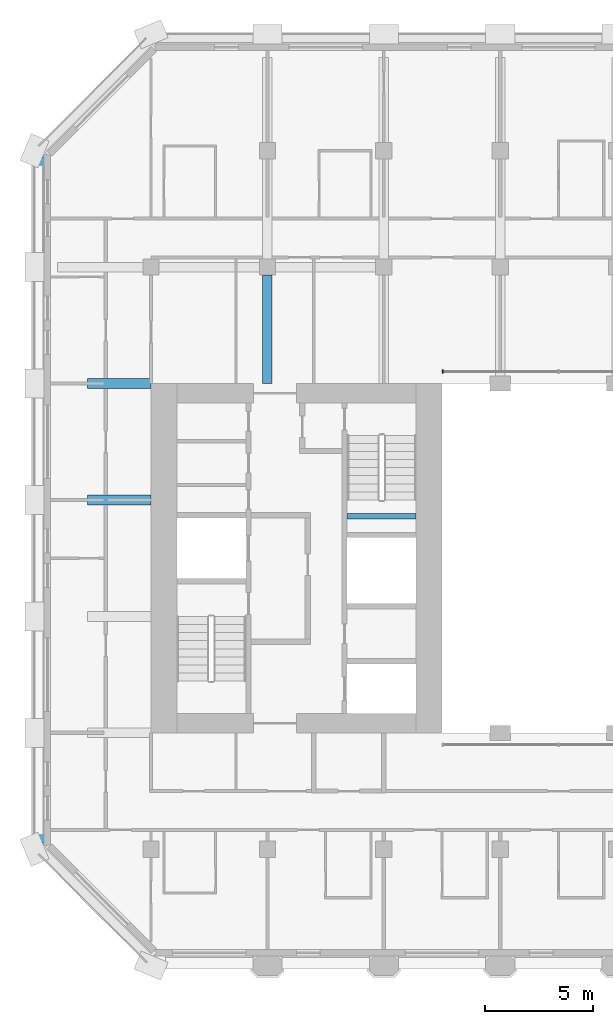
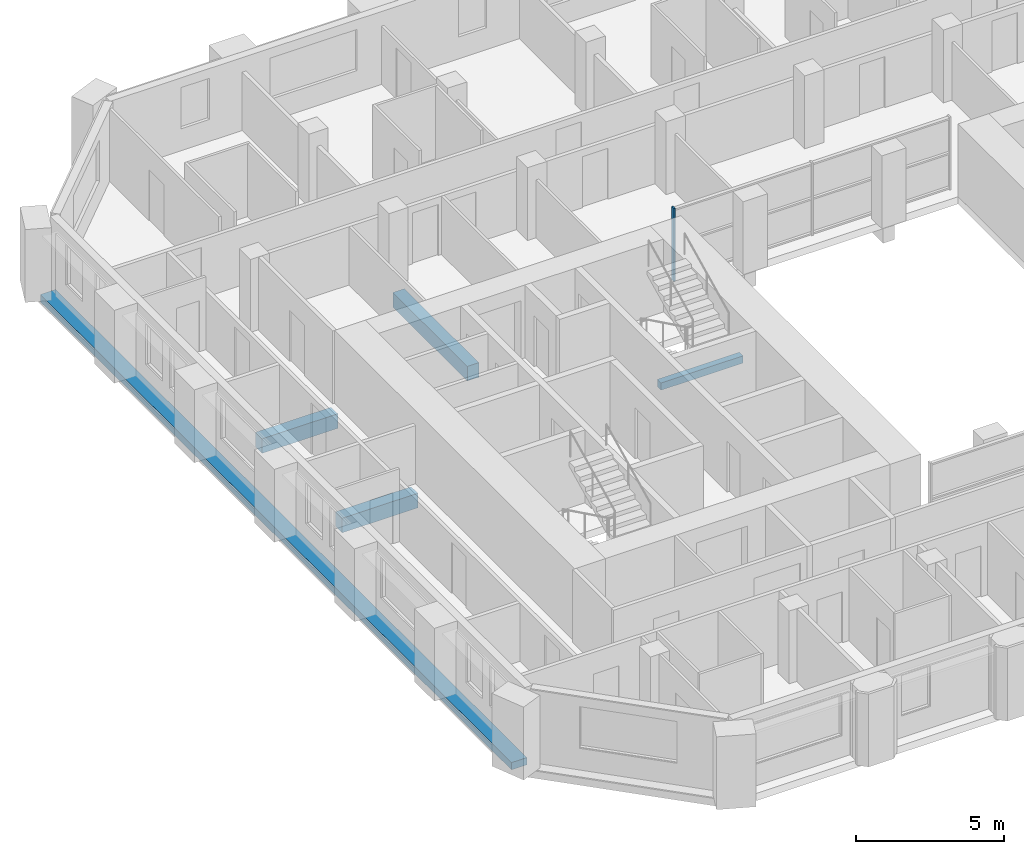
# One storey, part 3 of 14: 5 beams, 1 member, 1 element without a shape of its own.
"""IFC4 building model written with IfcOpenShell, lengths in metres."""

from ifc_helpers import new_model, si_unit, direction, frame, origin, origin_2d, place, context, subcontext, project, spatial, rectangle, extrude, material, material_profile, profile_set, type_object, element, aggregate, save


model = new_model("IFC4")

# Units and contexts
model_context = context("Model", 3, precision=1e-05, world=origin(), true_north=direction((0.0, 1.0)))
body_context = subcontext(model_context, "Body", "Model", "MODEL_VIEW")
ifc_project = project(units=[si_unit("LENGTHUNIT", "METRE"), si_unit("AREAUNIT", "SQUARE_METRE"), si_unit("VOLUMEUNIT", "CUBIC_METRE"), si_unit("PLANEANGLEUNIT", "RADIAN"), si_unit("MASSUNIT", "GRAM", prefix="KILO")], contexts=[model_context])

# Site, building, storey
site_placement = place(None, origin())
site = spatial("IfcSite", under=ifc_project, at=site_placement, CompositionType="ELEMENT")
building_placement = place(site_placement, origin())
building = spatial("IfcBuilding", under=site, at=building_placement, Name="Tabaq Tower and Sports Hall", CompositionType="ELEMENT")
storey_placement = place(building_placement, frame((0.0, 0.0, 213.699951171875)))
storey = spatial("IfcBuildingStorey", under=building, at=storey_placement, Name="L53", CompositionType="ELEMENT", Elevation=213.699951171875)

# Curtain wall, member
ifc_material_1 = material(Name="Aluminium alloy 6063-T6 framed glazing", Category="aluminium")
curtain_wall_type = type_object("IfcCurtainWallType", Name="CW1 curtain wall", PredefinedType="USERDEFINED", material=ifc_material_1)
curtain_wall_placement = place(storey_placement, origin())
curtain_wall = element("IfcCurtainWall", 1, at=curtain_wall_placement, inside=storey, type_object=curtain_wall_type, Name="Atrium glazing L53 N", ObjectType="ATRIUM ENCLOSURE", PredefinedType="USERDEFINED")
ifc_material_2 = material(Name="Aluminium alloy 6063-T6", Category="aluminium")
ifc_material_profile_1 = material_profile(ifc_material_2, rectangle(XDim=0.159912109375, YDim=0.06005859375, at=origin_2d()), Name="MULLION 160x60")
ifc_profile_set_1 = profile_set([ifc_material_profile_1], Name="Aluminium alloy 6063-T6")
member_type = type_object("IfcMemberType", Name="CW1 mullion 160x60", PredefinedType="MULLION", material=ifc_profile_set_1)
member_placement = place(storey_placement, frame((18.929931640625, 32.949951171875, 0.0), z_axis=(0.0, 0.0, 1.0), x_axis=(0.0, 1.0, 0.0)))
member = element("IfcMember", 2, at=member_placement, type_object=member_type, Name="CW1 mullion 1", PredefinedType="MULLION", context=body_context, shape_type="SweptSolid", body=[
    extrude(rectangle(XDim=0.159912109375, YDim=0.06005859375, at=origin_2d()), origin(), (0.0, 0.0, 1.0), 3.0),
])
aggregate(curtain_wall, [member])

# Beams
ifc_material_3 = material(Name="Concrete C40/50", Category="concrete")
ifc_material_profile_2 = material_profile(ifc_material_3, rectangle(XDim=0.449951171875, YDim=0.60009765625, at=origin_2d()), Name="CB 450x600")
ifc_profile_set_2 = profile_set([ifc_material_profile_2], Name="Concrete C40/50")
beam_type_1 = type_object("IfcBeamType", Name="PT CANTILEVER BEAM CB 450x600 C40/50", PredefinedType="BEAM", material=ifc_profile_set_2)
for number, where, z_axis, x_axis, name in (
    (3, (2.449951171875, 27.0, -0.599853515625), (1.0, 0.0, 0.0), (0.0, 1.0, 0.0), "Cantilever Beam L53 W5 span 1"),
    (4, (2.449951171875, 32.39990234375, -0.599853515625), (1.0, 0.0, 0.0), (0.0, 1.0, 0.0), "Cantilever Beam L53 W6 span 1"),
):
    element("IfcBeam", number, at=place(storey_placement, frame(where, z_axis=z_axis, x_axis=x_axis)), inside=storey, type_object=beam_type_1, Name=name, PredefinedType="BEAM", context=body_context, shape_type="SweptSolid", body=[
        extrude(rectangle(XDim=0.449951171875, YDim=0.60009765625, at=origin_2d()), origin(), (0.0, 0.0, 1.0), 2.949951171875),
    ])
beam_1_placement = place(storey_placement, frame((10.800048828125, 37.425048828125, -0.599853515625), z_axis=(0.0, -1.0, 0.0), x_axis=(1.0, 0.0, 0.0)))
element("IfcBeam", 5, at=beam_1_placement, inside=storey, type_object=beam_type_1, Name="Cantilever Beam L53 N2 span 3", PredefinedType="BEAM", context=body_context, shape_type="SweptSolid", body=[
    extrude(rectangle(XDim=0.449951171875, YDim=0.60009765625, at=origin_2d()), origin(), (0.0, 0.0, 1.0), 5.025146484375),
])
ifc_material_4 = material(Name="Concrete C40/50", Category="concrete")
ifc_material_profile_3 = material_profile(ifc_material_4, rectangle(XDim=0.60009765625, YDim=0.300048828125, at=origin_2d()), Name="EB 600x300")
ifc_profile_set_3 = profile_set([ifc_material_profile_3], Name="Concrete C40/50")
beam_type_2 = type_object("IfcBeamType", Name="PT EDGE BEAM EB 600x300 C40/50", PredefinedType="SPANDREL", material=ifc_profile_set_3)
beam_2_placement = place(storey_placement, frame((0.300048828125, 42.9013671875, -0.14990234375), z_axis=(0.0, -1.0, 0.0), x_axis=(1.0, 0.0, 0.0)))
element("IfcBeam", 6, at=beam_2_placement, inside=storey, type_object=beam_type_2, Name="Edge Beam L53 4", PredefinedType="SPANDREL", context=body_context, shape_type="SweptSolid", body=[
    extrude(rectangle(XDim=0.60009765625, YDim=0.300048828125, at=origin_2d()), origin(), (0.0, 0.0, 1.0), 31.802734375),
])
ifc_material_5 = material(Name="Concrete C40/50", Category="concrete")
ifc_material_profile_4 = material_profile(ifc_material_5, rectangle(XDim=0.25, YDim=0.300048828125, at=origin_2d()), Name="RC 250x300")
ifc_profile_set_4 = profile_set([ifc_material_profile_4], Name="Concrete C40/50")
beam_type_3 = type_object("IfcBeamType", Name="Stair landing beam 250x300", PredefinedType="BEAM", material=ifc_profile_set_4)
beam_3_placement = place(storey_placement, frame((14.5, 26.25, 1.300048828125), z_axis=(1.0, 0.0, 0.0), x_axis=(0.0, 1.0, 0.0)))
element("IfcBeam", 7, at=beam_3_placement, inside=storey, type_object=beam_type_3, Name="L53 ST2 landing beam 1", PredefinedType="BEAM", context=body_context, shape_type="SweptSolid", body=[
    extrude(rectangle(XDim=0.25, YDim=0.300048828125, at=origin_2d()), origin(), (0.0, 0.0, 1.0), 3.199951171875),
])

save(model, "model.ifc")
